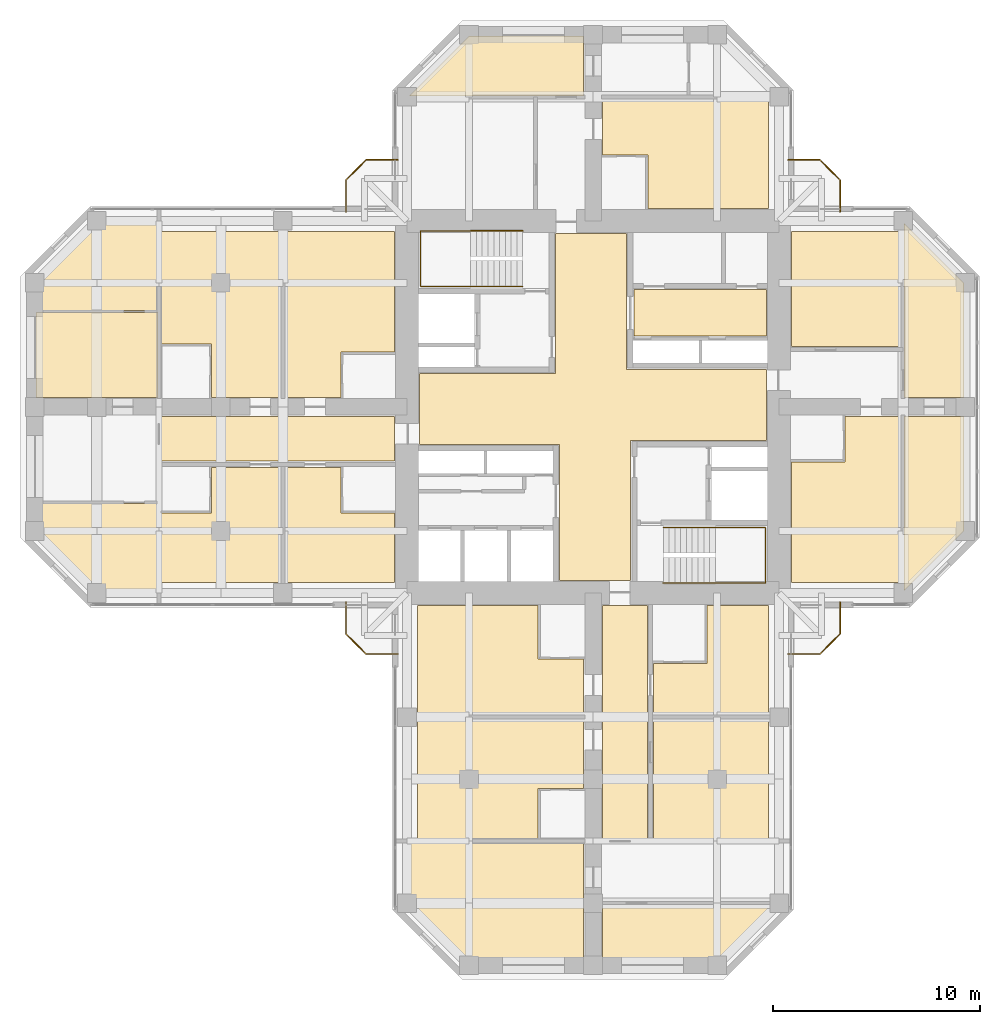
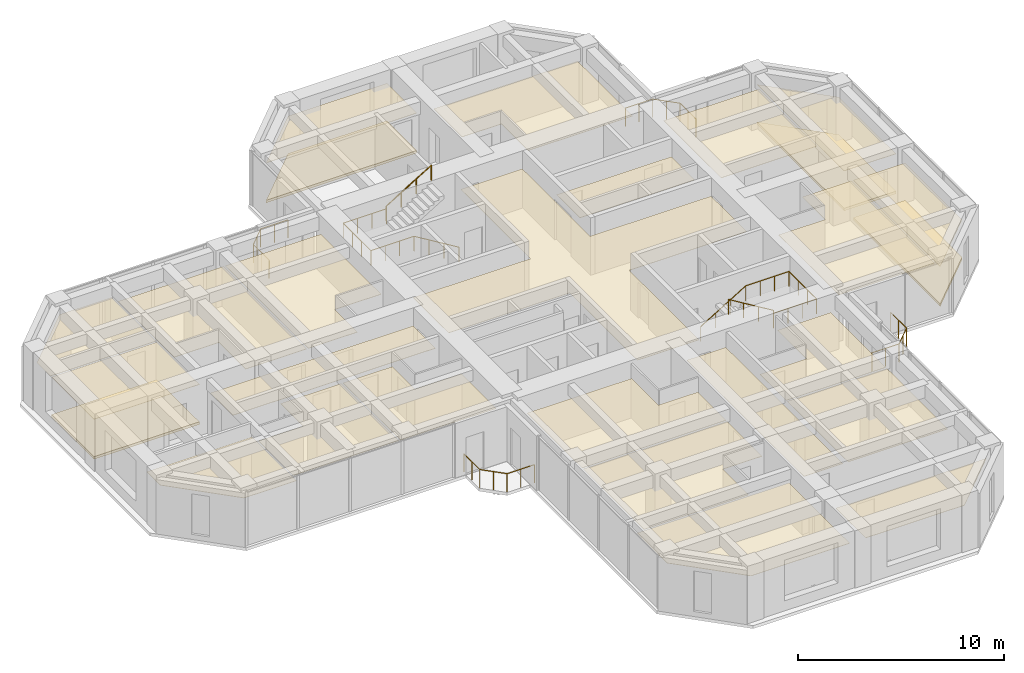
# One storey, part 13 of 13: 27 coverings, 8 railings.
"""IFC4 building model written with IfcOpenShell, lengths in metres."""

from ifc_helpers import new_model, si_unit, direction, frame, origin, origin_2d, place, context, subcontext, project, spatial, polyline, circle, outline, extrude, material, layer, layer_set, constituent, constituent_set, type_object, element, save


model = new_model("IFC4")

# Units and contexts
model_context = context("Model", 3, precision=1e-05, world=origin(), true_north=direction((0.0, 1.0)))
body_context = subcontext(model_context, "Body", "Model", "MODEL_VIEW")
ifc_project = project(units=[si_unit("LENGTHUNIT", "METRE"), si_unit("AREAUNIT", "SQUARE_METRE"), si_unit("VOLUMEUNIT", "CUBIC_METRE"), si_unit("PLANEANGLEUNIT", "RADIAN"), si_unit("MASSUNIT", "GRAM", prefix="KILO")], contexts=[model_context])

# Site, building, storey
site_placement = place(None, origin())
site = spatial("IfcSite", under=ifc_project, at=site_placement, CompositionType="ELEMENT")
building_placement = place(site_placement, origin())
building = spatial("IfcBuilding", under=site, at=building_placement, Name="Torre Cruceta", CompositionType="ELEMENT")
storey_placement = place(building_placement, frame((0.0, 0.0, 189.89990234375)))
storey = spatial("IfcBuildingStorey", under=building, at=storey_placement, Name="L47", CompositionType="ELEMENT", Elevation=189.89990234375)

# Railings
ifc_material_1 = material(Name="Stainless steel 1.4401", Category="steel")
ifc_constituent_1 = constituent(ifc_material_1, Name="Frame")
ifc_material_2 = material(Name="Laminated safety glass", Category="glass")
ifc_constituent_2 = constituent(ifc_material_2, Name="Infill")
ifc_constituent_set_1 = constituent_set(constituents=[ifc_constituent_1, ifc_constituent_2], Name="Stainless steel and laminated glass balustrade")
railing_type_1 = type_object("IfcRailingType", Name="BALCONY BALUSTRADE 1100", PredefinedType="BALUSTRADE", material=ifc_constituent_set_1)
railing_1_placement = place(storey_placement, frame((-9.449951171875, 11.949951171875, 0.0)))
element("IfcRailing", 1, at=railing_1_placement, inside=storey, type_object=railing_type_1, Name="BL1 balcony balustrade L47 N", PredefinedType="BALUSTRADE", context=body_context, shape_type="SweptSolid", body=[
    extrude(circle(Radius=0.02392578125, at=origin_2d()), frame((0.0, 0.0, 1.076171875), z_axis=(-1.0, 0.0, 0.0), x_axis=(0.0, -1.0, 0.0)), (0.0, 0.0, 1.0), 1.529296875),
    extrude(circle(Radius=0.02392578125, at=origin_2d()), frame((-1.529296875, 0.0, 1.076171875), z_axis=(-0.707106781187, -0.707106781187, 0.0), x_axis=(0.707106781187, -0.707106781187, 0.0)), (0.0, 0.0, 1.0), 1.372802734375),
    extrude(circle(Radius=0.02392578125, at=origin_2d()), frame((-2.5, -0.970703125, 1.076171875), z_axis=(0.0, -1.0, 0.0), x_axis=(1.0, 0.0, 0.0)), (0.0, 0.0, 1.0), 1.529296875),
    extrude(circle(Radius=0.02099609375, at=origin_2d()), origin(), (0.0, 0.0, 1.0), 1.052001953125),
    extrude(circle(Radius=0.02099609375, at=origin_2d()), frame((-0.7646484375, 0.0, 0.0)), (0.0, 0.0, 1.0), 1.052001953125),
    extrude(circle(Radius=0.02099609375, at=origin_2d()), frame((-1.529296875, 0.0, 0.0)), (0.0, 0.0, 1.0), 1.052001953125),
    extrude(circle(Radius=0.02099609375, at=origin_2d()), frame((-2.0146484375, -0.4853515625, 0.0)), (0.0, 0.0, 1.0), 1.052001953125),
    extrude(circle(Radius=0.02099609375, at=origin_2d()), frame((-2.5, -0.970703125, 0.0)), (0.0, 0.0, 1.0), 1.052001953125),
    extrude(circle(Radius=0.02099609375, at=origin_2d()), frame((-2.5, -1.7353515625, 0.0)), (0.0, 0.0, 1.0), 1.052001953125),
    extrude(circle(Radius=0.02099609375, at=origin_2d()), frame((-2.5, -2.5, 0.0)), (0.0, 0.0, 1.0), 1.052001953125),
])
railing_2_placement = place(storey_placement, frame((9.449951171875, 11.949951171875, 0.0)))
element("IfcRailing", 2, at=railing_2_placement, inside=storey, type_object=railing_type_1, Name="BL1 balcony balustrade L47 E", PredefinedType="BALUSTRADE", context=body_context, shape_type="SweptSolid", body=[
    extrude(circle(Radius=0.02392578125, at=origin_2d()), frame((0.0, 0.0, 1.076171875), z_axis=(1.0, 0.0, 0.0), x_axis=(0.0, 1.0, 0.0)), (0.0, 0.0, 1.0), 1.529296875),
    extrude(circle(Radius=0.02392578125, at=origin_2d()), frame((1.529296875, 0.0, 1.076171875), z_axis=(0.707106781187, -0.707106781187, 0.0), x_axis=(0.707106781187, 0.707106781187, 0.0)), (0.0, 0.0, 1.0), 1.372802734375),
    extrude(circle(Radius=0.02392578125, at=origin_2d()), frame((2.5, -0.970703125, 1.076171875), z_axis=(0.0, -1.0, 0.0), x_axis=(1.0, 0.0, 0.0)), (0.0, 0.0, 1.0), 1.529296875),
    extrude(circle(Radius=0.02099609375, at=origin_2d()), origin(), (0.0, 0.0, 1.0), 1.052001953125),
    extrude(circle(Radius=0.02099609375, at=origin_2d()), frame((0.7646484375, 0.0, 0.0)), (0.0, 0.0, 1.0), 1.052001953125),
    extrude(circle(Radius=0.02099609375, at=origin_2d()), frame((1.529296875, 0.0, 0.0)), (0.0, 0.0, 1.0), 1.052001953125),
    extrude(circle(Radius=0.02099609375, at=origin_2d()), frame((2.0146484375, -0.4853515625, 0.0)), (0.0, 0.0, 1.0), 1.052001953125),
    extrude(circle(Radius=0.02099609375, at=origin_2d()), frame((2.5, -0.970703125, 0.0)), (0.0, 0.0, 1.0), 1.052001953125),
    extrude(circle(Radius=0.02099609375, at=origin_2d()), frame((2.5, -1.7353515625, 0.0)), (0.0, 0.0, 1.0), 1.052001953125),
    extrude(circle(Radius=0.02099609375, at=origin_2d()), frame((2.5, -2.5, 0.0)), (0.0, 0.0, 1.0), 1.052001953125),
])
railing_3_placement = place(storey_placement, frame((9.449951171875, -11.949951171875, 0.0)))
element("IfcRailing", 3, at=railing_3_placement, inside=storey, type_object=railing_type_1, Name="BL1 balcony balustrade L47 S", PredefinedType="BALUSTRADE", context=body_context, shape_type="SweptSolid", body=[
    extrude(circle(Radius=0.02392578125, at=origin_2d()), frame((0.0, 0.0, 1.076171875), z_axis=(1.0, 0.0, 0.0), x_axis=(0.0, 1.0, 0.0)), (0.0, 0.0, 1.0), 1.529296875),
    extrude(circle(Radius=0.02392578125, at=origin_2d()), frame((1.529296875, 0.0, 1.076171875), z_axis=(0.707106781187, 0.707106781187, 0.0), x_axis=(-0.707106781187, 0.707106781187, 0.0)), (0.0, 0.0, 1.0), 1.372802734375),
    extrude(circle(Radius=0.02392578125, at=origin_2d()), frame((2.5, 0.970703125, 1.076171875), z_axis=(0.0, 1.0, 0.0), x_axis=(-1.0, 0.0, 0.0)), (0.0, 0.0, 1.0), 1.529296875),
    extrude(circle(Radius=0.02099609375, at=origin_2d()), origin(), (0.0, 0.0, 1.0), 1.052001953125),
    extrude(circle(Radius=0.02099609375, at=origin_2d()), frame((0.7646484375, 0.0, 0.0)), (0.0, 0.0, 1.0), 1.052001953125),
    extrude(circle(Radius=0.02099609375, at=origin_2d()), frame((1.529296875, 0.0, 0.0)), (0.0, 0.0, 1.0), 1.052001953125),
    extrude(circle(Radius=0.02099609375, at=origin_2d()), frame((2.0146484375, 0.4853515625, 0.0)), (0.0, 0.0, 1.0), 1.052001953125),
    extrude(circle(Radius=0.02099609375, at=origin_2d()), frame((2.5, 0.970703125, 0.0)), (0.0, 0.0, 1.0), 1.052001953125),
    extrude(circle(Radius=0.02099609375, at=origin_2d()), frame((2.5, 1.7353515625, 0.0)), (0.0, 0.0, 1.0), 1.052001953125),
    extrude(circle(Radius=0.02099609375, at=origin_2d()), frame((2.5, 2.5, 0.0)), (0.0, 0.0, 1.0), 1.052001953125),
])
railing_4_placement = place(storey_placement, frame((-9.449951171875, -11.949951171875, 0.0)))
element("IfcRailing", 4, at=railing_4_placement, inside=storey, type_object=railing_type_1, Name="BL1 balcony balustrade L47 W", PredefinedType="BALUSTRADE", context=body_context, shape_type="SweptSolid", body=[
    extrude(circle(Radius=0.02392578125, at=origin_2d()), frame((0.0, 0.0, 1.076171875), z_axis=(-1.0, 0.0, 0.0), x_axis=(0.0, -1.0, 0.0)), (0.0, 0.0, 1.0), 1.529296875),
    extrude(circle(Radius=0.02392578125, at=origin_2d()), frame((-1.529296875, 0.0, 1.076171875), z_axis=(-0.707106781187, 0.707106781187, 0.0), x_axis=(-0.707106781187, -0.707106781187, 0.0)), (0.0, 0.0, 1.0), 1.372802734375),
    extrude(circle(Radius=0.02392578125, at=origin_2d()), frame((-2.5, 0.970703125, 1.076171875), z_axis=(0.0, 1.0, 0.0), x_axis=(-1.0, 0.0, 0.0)), (0.0, 0.0, 1.0), 1.529296875),
    extrude(circle(Radius=0.02099609375, at=origin_2d()), origin(), (0.0, 0.0, 1.0), 1.052001953125),
    extrude(circle(Radius=0.02099609375, at=origin_2d()), frame((-0.7646484375, 0.0, 0.0)), (0.0, 0.0, 1.0), 1.052001953125),
    extrude(circle(Radius=0.02099609375, at=origin_2d()), frame((-1.529296875, 0.0, 0.0)), (0.0, 0.0, 1.0), 1.052001953125),
    extrude(circle(Radius=0.02099609375, at=origin_2d()), frame((-2.0146484375, 0.4853515625, 0.0)), (0.0, 0.0, 1.0), 1.052001953125),
    extrude(circle(Radius=0.02099609375, at=origin_2d()), frame((-2.5, 0.970703125, 0.0)), (0.0, 0.0, 1.0), 1.052001953125),
    extrude(circle(Radius=0.02099609375, at=origin_2d()), frame((-2.5, 1.7353515625, 0.0)), (0.0, 0.0, 1.0), 1.052001953125),
    extrude(circle(Radius=0.02099609375, at=origin_2d()), frame((-2.5, 2.5, 0.0)), (0.0, 0.0, 1.0), 1.052001953125),
])
ifc_material_3 = material(Name="Stainless steel 1.4401", Category="steel")
railing_type_2 = type_object("IfcRailingType", Name="HANDRAIL 900", PredefinedType="HANDRAIL", material=ifc_material_3)
railing_5_placement = place(storey_placement, frame((-3.39990234375, 5.8349609375, 0.170166015625)))
element("IfcRailing", 5, at=railing_5_placement, inside=storey, type_object=railing_type_2, Name="Handrail HR1 ST1 L47", PredefinedType="HANDRAIL", context=body_context, shape_type="SweptSolid", body=[
    extrude(circle(Radius=0.02392578125, at=origin_2d()), frame((0.0, 0.0, 0.8759765625), z_axis=(-0.85478489116, 0.0, 0.518982456201), x_axis=(0.0, -1.0, 0.0)), (0.0, 0.0, 1.0), 2.9482421875),
    extrude(circle(Radius=0.02392578125, at=origin_2d()), frame((-2.52001953125, 0.0, 2.40576171875), z_axis=(-1.0, 0.0, 0.0), x_axis=(0.0, -1.0, 0.0)), (0.0, 0.0, 1.0), 2.420166015625),
    extrude(circle(Radius=0.02392578125, at=origin_2d()), frame((-4.940185546875, 0.0, 2.40576171875), z_axis=(0.0, 1.0, 0.0), x_axis=(-1.0, 0.0, 0.0)), (0.0, 0.0, 1.0), 2.679931640625),
    extrude(circle(Radius=0.02392578125, at=origin_2d()), frame((-4.940185546875, 2.679931640625, 2.40576171875), z_axis=(1.0, 0.0, 0.0), x_axis=(0.0, 1.0, 0.0)), (0.0, 0.0, 1.0), 2.420166015625),
    extrude(circle(Radius=0.02099609375, at=origin_2d()), origin(), (0.0, 0.0, 1.0), 0.851806640625),
    extrude(circle(Radius=0.02099609375, at=origin_2d()), frame((-0.840087890625, 0.0, 0.510009765625)), (0.0, 0.0, 1.0), 0.851806640625),
    extrude(circle(Radius=0.02099609375, at=origin_2d()), frame((-1.679931640625, 0.0, 1.02001953125)), (0.0, 0.0, 1.0), 0.851806640625),
    extrude(circle(Radius=0.02099609375, at=origin_2d()), frame((-2.52001953125, 0.0, 1.530029296875)), (0.0, 0.0, 1.0), 0.851806640625),
    extrude(circle(Radius=0.02099609375, at=origin_2d()), frame((-3.32666015625, 0.0, 1.530029296875)), (0.0, 0.0, 1.0), 0.851806640625),
    extrude(circle(Radius=0.02099609375, at=origin_2d()), frame((-4.133544921875, 0.0, 1.530029296875)), (0.0, 0.0, 1.0), 0.851806640625),
    extrude(circle(Radius=0.02099609375, at=origin_2d()), frame((-4.940185546875, 0.0, 1.530029296875)), (0.0, 0.0, 1.0), 0.851806640625),
    extrude(circle(Radius=0.02099609375, at=origin_2d()), frame((-4.940185546875, 0.893310546875, 1.530029296875)), (0.0, 0.0, 1.0), 0.851806640625),
    extrude(circle(Radius=0.02099609375, at=origin_2d()), frame((-4.940185546875, 1.78662109375, 1.530029296875)), (0.0, 0.0, 1.0), 0.851806640625),
    extrude(circle(Radius=0.02099609375, at=origin_2d()), frame((-4.940185546875, 2.679931640625, 1.530029296875)), (0.0, 0.0, 1.0), 0.851806640625),
    extrude(circle(Radius=0.02099609375, at=origin_2d()), frame((-4.133544921875, 2.679931640625, 1.530029296875)), (0.0, 0.0, 1.0), 0.851806640625),
    extrude(circle(Radius=0.02099609375, at=origin_2d()), frame((-3.32666015625, 2.679931640625, 1.530029296875)), (0.0, 0.0, 1.0), 0.851806640625),
    extrude(circle(Radius=0.02099609375, at=origin_2d()), frame((-2.52001953125, 2.679931640625, 1.530029296875)), (0.0, 0.0, 1.0), 0.851806640625),
])
railing_6_placement = place(storey_placement, frame((-5.919921875, 8.514892578125, 1.8701171875)))
element("IfcRailing", 6, at=railing_6_placement, inside=storey, type_object=railing_type_2, Name="Handrail HR1 ST1 L47", PredefinedType="HANDRAIL", context=body_context, shape_type="SweptSolid", body=[
    extrude(circle(Radius=0.02392578125, at=origin_2d()), frame((0.0, 0.0, 0.8759765625), z_axis=(0.85478489116, 0.0, 0.518982456201), x_axis=(0.0, 1.0, 0.0)), (0.0, 0.0, 1.0), 2.9482421875),
    extrude(circle(Radius=0.02099609375, at=origin_2d()), origin(), (0.0, 0.0, 1.0), 0.851806640625),
    extrude(circle(Radius=0.02099609375, at=origin_2d()), frame((0.840087890625, 0.0, 0.510009765625)), (0.0, 0.0, 1.0), 0.851806640625),
    extrude(circle(Radius=0.02099609375, at=origin_2d()), frame((1.679931640625, 0.0, 1.02001953125)), (0.0, 0.0, 1.0), 0.851806640625),
    extrude(circle(Radius=0.02099609375, at=origin_2d()), frame((2.52001953125, 0.0, 1.530029296875)), (0.0, 0.0, 1.0), 0.851806640625),
])
railing_7_placement = place(storey_placement, frame((3.39990234375, -5.8349609375, 0.170166015625)))
element("IfcRailing", 7, at=railing_7_placement, inside=storey, type_object=railing_type_2, Name="Handrail HR1 ST2 L47", PredefinedType="HANDRAIL", context=body_context, shape_type="SweptSolid", body=[
    extrude(circle(Radius=0.02392578125, at=origin_2d()), frame((0.0, 0.0, 0.8759765625), z_axis=(0.85478489116, 0.0, 0.518982456201), x_axis=(0.0, 1.0, 0.0)), (0.0, 0.0, 1.0), 2.9482421875),
    extrude(circle(Radius=0.02392578125, at=origin_2d()), frame((2.52001953125, 0.0, 2.40576171875), z_axis=(1.0, 0.0, 0.0), x_axis=(0.0, 1.0, 0.0)), (0.0, 0.0, 1.0), 2.420166015625),
    extrude(circle(Radius=0.02392578125, at=origin_2d()), frame((4.940185546875, 0.0, 2.40576171875), z_axis=(0.0, -1.0, 0.0), x_axis=(1.0, 0.0, 0.0)), (0.0, 0.0, 1.0), 2.679931640625),
    extrude(circle(Radius=0.02392578125, at=origin_2d()), frame((4.940185546875, -2.679931640625, 2.40576171875), z_axis=(-1.0, 0.0, 0.0), x_axis=(0.0, -1.0, 0.0)), (0.0, 0.0, 1.0), 2.420166015625),
    extrude(circle(Radius=0.02099609375, at=origin_2d()), origin(), (0.0, 0.0, 1.0), 0.851806640625),
    extrude(circle(Radius=0.02099609375, at=origin_2d()), frame((0.840087890625, 0.0, 0.510009765625)), (0.0, 0.0, 1.0), 0.851806640625),
    extrude(circle(Radius=0.02099609375, at=origin_2d()), frame((1.679931640625, 0.0, 1.02001953125)), (0.0, 0.0, 1.0), 0.851806640625),
    extrude(circle(Radius=0.02099609375, at=origin_2d()), frame((2.52001953125, 0.0, 1.530029296875)), (0.0, 0.0, 1.0), 0.851806640625),
    extrude(circle(Radius=0.02099609375, at=origin_2d()), frame((3.32666015625, 0.0, 1.530029296875)), (0.0, 0.0, 1.0), 0.851806640625),
    extrude(circle(Radius=0.02099609375, at=origin_2d()), frame((4.133544921875, 0.0, 1.530029296875)), (0.0, 0.0, 1.0), 0.851806640625),
    extrude(circle(Radius=0.02099609375, at=origin_2d()), frame((4.940185546875, 0.0, 1.530029296875)), (0.0, 0.0, 1.0), 0.851806640625),
    extrude(circle(Radius=0.02099609375, at=origin_2d()), frame((4.940185546875, -0.893310546875, 1.530029296875)), (0.0, 0.0, 1.0), 0.851806640625),
    extrude(circle(Radius=0.02099609375, at=origin_2d()), frame((4.940185546875, -1.78662109375, 1.530029296875)), (0.0, 0.0, 1.0), 0.851806640625),
    extrude(circle(Radius=0.02099609375, at=origin_2d()), frame((4.940185546875, -2.679931640625, 1.530029296875)), (0.0, 0.0, 1.0), 0.851806640625),
    extrude(circle(Radius=0.02099609375, at=origin_2d()), frame((4.133544921875, -2.679931640625, 1.530029296875)), (0.0, 0.0, 1.0), 0.851806640625),
    extrude(circle(Radius=0.02099609375, at=origin_2d()), frame((3.32666015625, -2.679931640625, 1.530029296875)), (0.0, 0.0, 1.0), 0.851806640625),
    extrude(circle(Radius=0.02099609375, at=origin_2d()), frame((2.52001953125, -2.679931640625, 1.530029296875)), (0.0, 0.0, 1.0), 0.851806640625),
])
railing_8_placement = place(storey_placement, frame((5.919921875, -8.514892578125, 1.8701171875)))
element("IfcRailing", 8, at=railing_8_placement, inside=storey, type_object=railing_type_2, Name="Handrail HR1 ST2 L47", PredefinedType="HANDRAIL", context=body_context, shape_type="SweptSolid", body=[
    extrude(circle(Radius=0.02392578125, at=origin_2d()), frame((0.0, 0.0, 0.8759765625), z_axis=(-0.85478489116, 0.0, 0.518982456201), x_axis=(0.0, -1.0, 0.0)), (0.0, 0.0, 1.0), 2.9482421875),
    extrude(circle(Radius=0.02099609375, at=origin_2d()), origin(), (0.0, 0.0, 1.0), 0.851806640625),
    extrude(circle(Radius=0.02099609375, at=origin_2d()), frame((-0.840087890625, 0.0, 0.510009765625)), (0.0, 0.0, 1.0), 0.851806640625),
    extrude(circle(Radius=0.02099609375, at=origin_2d()), frame((-1.679931640625, 0.0, 1.02001953125)), (0.0, 0.0, 1.0), 0.851806640625),
    extrude(circle(Radius=0.02099609375, at=origin_2d()), frame((-2.52001953125, 0.0, 1.530029296875)), (0.0, 0.0, 1.0), 0.851806640625),
])

# Coverings
ifc_material_4 = material(Name="Steel DX51D", Category="steel")
ifc_constituent_3 = constituent(ifc_material_4, Name="Panel casing")
ifc_material_5 = material(Name="Calcium sulphate", Category="gypsum")
ifc_constituent_4 = constituent(ifc_material_5, Name="Panel core")
ifc_constituent_set_2 = constituent_set(constituents=[ifc_constituent_3, ifc_constituent_4], Name="Raised access floor panel")
covering_type_1 = type_object("IfcCoveringType", Name="RAISED ACCESS FLOOR 150", PredefinedType="FLOORING", material=ifc_constituent_set_2)
covering_1_placement = place(storey_placement, origin())
element("IfcCovering", 9, at=covering_1_placement, inside=storey, type_object=covering_type_1, Name="Raised floor L47-026", PredefinedType="FLOORING", context=body_context, shape_type="SweptSolid", body=[
    extrude(outline(polyline([(-5.979248046875, 17.949951171875), (-0.449951171875, 17.949951171875), (-0.449951171875, 15.050048828125), (-8.87939453125, 15.050048828125), (-5.979248046875, 17.949951171875)])), origin(), (0.0, 0.0, 1.0), 0.150146484375),
])
covering_2_placement = place(storey_placement, origin())
element("IfcCovering", 10, at=covering_2_placement, inside=storey, type_object=covering_type_1, Name="Raised floor L47-033", PredefinedType="FLOORING", context=body_context, shape_type="SweptSolid", body=[
    extrude(outline(polyline([(17.949951171875, 5.979248046875), (17.949951171875, 0.449951171875), (15.050048828125, 0.449951171875), (15.050048828125, 8.87939453125), (17.949951171875, 5.979248046875)])), origin(), (0.0, 0.0, 1.0), 0.150146484375),
])
covering_3_placement = place(storey_placement, origin())
element("IfcCovering", 11, at=covering_3_placement, inside=storey, type_object=covering_type_1, Name="Raised floor L47-034", PredefinedType="FLOORING", context=body_context, shape_type="SweptSolid", body=[
    extrude(outline(polyline([(15.050048828125, -8.87939453125), (15.050048828125, -0.449951171875), (17.949951171875, -0.449951171875), (17.949951171875, -5.979248046875), (15.050048828125, -8.87939453125)])), origin(), (0.0, 0.0, 1.0), 0.150146484375),
])
covering_4_placement = place(storey_placement, origin())
element("IfcCovering", 12, at=covering_4_placement, inside=storey, type_object=covering_type_1, Name="Raised floor L47-057", PredefinedType="FLOORING", context=body_context, shape_type="SweptSolid", body=[
    extrude(outline(polyline([(-26.949951171875, 4.574951171875), (-21.050048828125, 4.574951171875), (-21.050048828125, 0.449951171875), (-26.949951171875, 0.449951171875), (-26.949951171875, 4.574951171875)])), origin(), (0.0, 0.0, 1.0), 0.150146484375),
])
ifc_material_6 = material(Name="Mineral fibre ceiling tile", Category="gypsum")
ifc_layer = layer(ifc_material_6, 0.02001953125)
ifc_layer_set = layer_set([ifc_layer], Name="Mineral fibre ceiling tile")
covering_type_2 = type_object("IfcCoveringType", Name="SUSPENDED CEILING 20", PredefinedType="CEILING", material=ifc_layer_set)
covering_5_placement = place(storey_placement, frame((0.0, 0.0, 2.35009765625)))
element("IfcCovering", 13, at=covering_5_placement, inside=storey, type_object=covering_type_2, Name="Ceiling L47-003", PredefinedType="CEILING", context=body_context, shape_type="SweptSolid", body=[
    extrude(outline(polyline([(-1.625, -8.39990234375), (-1.625, -1.824951171875), (-8.39990234375, -1.824951171875), (-8.39990234375, 1.625), (-1.824951171875, 1.625), (-1.824951171875, 8.39990234375), (1.625, 8.39990234375), (1.625, 1.824951171875), (8.39990234375, 1.824951171875), (8.39990234375, -1.625), (1.824951171875, -1.625), (1.824951171875, -8.39990234375), (-1.625, -8.39990234375)])), origin(), (0.0, 0.0, 1.0), 0.02001953125),
])
covering_6_placement = place(storey_placement, frame((0.0, 0.0, 2.35009765625)))
element("IfcCovering", 14, at=covering_6_placement, inside=storey, type_object=covering_type_2, Name="Ceiling L47-004", PredefinedType="CEILING", context=body_context, shape_type="SweptSolid", body=[
    extrude(outline(polyline([(1.97509765625, 3.425048828125), (1.97509765625, 5.675048828125), (8.39990234375, 5.675048828125), (8.39990234375, 3.425048828125), (1.97509765625, 3.425048828125)])), origin(), (0.0, 0.0, 1.0), 0.02001953125),
])
covering_7_placement = place(storey_placement, frame((0.0, 0.0, 2.35009765625)))
element("IfcCovering", 15, at=covering_7_placement, inside=storey, type_object=covering_type_2, Name="Ceiling L47-024", PredefinedType="CEILING", context=body_context, shape_type="SweptSolid", body=[
    extrude(outline(polyline([(0.449951171875, 14.949951171875), (8.5, 14.949951171875), (8.5, 9.60009765625), (2.64990234375, 9.60009765625), (2.64990234375, 12.199951171875), (0.449951171875, 12.199951171875), (0.449951171875, 14.949951171875)])), origin(), (0.0, 0.0, 1.0), 0.02001953125),
])
covering_8_placement = place(storey_placement, frame((0.0, 0.0, 2.35009765625)))
element("IfcCovering", 16, at=covering_8_placement, inside=storey, type_object=covering_type_2, Name="Ceiling L47-026", PredefinedType="CEILING", context=body_context, shape_type="SweptSolid", body=[
    extrude(outline(polyline([(-5.979248046875, 17.949951171875), (-0.449951171875, 17.949951171875), (-0.449951171875, 15.050048828125), (-8.87939453125, 15.050048828125), (-5.979248046875, 17.949951171875)])), origin(), (0.0, 0.0, 1.0), 0.02001953125),
])
covering_9_placement = place(storey_placement, frame((0.0, 0.0, 2.35009765625)))
element("IfcCovering", 17, at=covering_9_placement, inside=storey, type_object=covering_type_2, Name="Ceiling L47-030", PredefinedType="CEILING", context=body_context, shape_type="SweptSolid", body=[
    extrude(outline(polyline([(9.60009765625, 2.925048828125), (9.60009765625, 8.5), (14.949951171875, 8.5), (14.949951171875, 2.925048828125), (9.60009765625, 2.925048828125)])), origin(), (0.0, 0.0, 1.0), 0.02001953125),
])
covering_10_placement = place(storey_placement, frame((0.0, 0.0, 2.35009765625)))
element("IfcCovering", 18, at=covering_10_placement, inside=storey, type_object=covering_type_2, Name="Ceiling L47-031", PredefinedType="CEILING", context=body_context, shape_type="SweptSolid", body=[
    extrude(outline(polyline([(14.949951171875, -0.449951171875), (14.949951171875, -8.5), (9.60009765625, -8.5), (9.60009765625, -2.64990234375), (12.199951171875, -2.64990234375), (12.199951171875, -0.449951171875), (14.949951171875, -0.449951171875)])), origin(), (0.0, 0.0, 1.0), 0.02001953125),
])
covering_11_placement = place(storey_placement, frame((0.0, 0.0, 2.35009765625)))
element("IfcCovering", 19, at=covering_11_placement, inside=storey, type_object=covering_type_2, Name="Ceiling L47-033", PredefinedType="CEILING", context=body_context, shape_type="SweptSolid", body=[
    extrude(outline(polyline([(17.949951171875, 5.979248046875), (17.949951171875, 0.449951171875), (15.050048828125, 0.449951171875), (15.050048828125, 8.87939453125), (17.949951171875, 5.979248046875)])), origin(), (0.0, 0.0, 1.0), 0.02001953125),
])
covering_12_placement = place(storey_placement, frame((0.0, 0.0, 2.35009765625)))
element("IfcCovering", 20, at=covering_12_placement, inside=storey, type_object=covering_type_2, Name="Ceiling L47-034", PredefinedType="CEILING", context=body_context, shape_type="SweptSolid", body=[
    extrude(outline(polyline([(15.050048828125, -8.87939453125), (15.050048828125, -0.449951171875), (17.949951171875, -0.449951171875), (17.949951171875, -5.979248046875), (15.050048828125, -8.87939453125)])), origin(), (0.0, 0.0, 1.0), 0.02001953125),
])
covering_13_placement = place(storey_placement, frame((0.0, 0.0, 2.35009765625)))
element("IfcCovering", 21, at=covering_13_placement, inside=storey, type_object=covering_type_2, Name="Ceiling L47-035", PredefinedType="CEILING", context=body_context, shape_type="SweptSolid", body=[
    extrude(outline(polyline([(0.449951171875, -9.60009765625), (2.625, -9.60009765625), (2.625, -20.949951171875), (0.449951171875, -20.949951171875), (0.449951171875, -9.60009765625)])), origin(), (0.0, 0.0, 1.0), 0.02001953125),
])
covering_14_placement = place(storey_placement, frame((0.0, 0.0, 2.35009765625)))
element("IfcCovering", 22, at=covering_14_placement, inside=storey, type_object=covering_type_2, Name="Ceiling L47-036", PredefinedType="CEILING", context=body_context, shape_type="SweptSolid", body=[
    extrude(outline(polyline([(8.5, -9.60009765625), (8.5, -14.949951171875), (2.925048828125, -14.949951171875), (2.925048828125, -12.39990234375), (5.52490234375, -12.39990234375), (5.52490234375, -9.60009765625), (8.5, -9.60009765625)])), origin(), (0.0, 0.0, 1.0), 0.02001953125),
])
covering_15_placement = place(storey_placement, frame((0.0, 0.0, 2.35009765625)))
element("IfcCovering", 23, at=covering_15_placement, inside=storey, type_object=covering_type_2, Name="Ceiling L47-038", PredefinedType="CEILING", context=body_context, shape_type="SweptSolid", body=[
    extrude(outline(polyline([(-0.449951171875, -14.949951171875), (-8.5, -14.949951171875), (-8.5, -9.60009765625), (-2.64990234375, -9.60009765625), (-2.64990234375, -12.199951171875), (-0.449951171875, -12.199951171875), (-0.449951171875, -14.949951171875)])), origin(), (0.0, 0.0, 1.0), 0.02001953125),
])
covering_16_placement = place(storey_placement, frame((0.0, 0.0, 2.35009765625)))
element("IfcCovering", 24, at=covering_16_placement, inside=storey, type_object=covering_type_2, Name="Ceiling L47-040", PredefinedType="CEILING", context=body_context, shape_type="SweptSolid", body=[
    extrude(outline(polyline([(2.925048828125, -15.050048828125), (8.5, -15.050048828125), (8.5, -20.949951171875), (2.925048828125, -20.949951171875), (2.925048828125, -15.050048828125)])), origin(), (0.0, 0.0, 1.0), 0.02001953125),
])
covering_17_placement = place(storey_placement, frame((0.0, 0.0, 2.35009765625)))
element("IfcCovering", 25, at=covering_17_placement, inside=storey, type_object=covering_type_2, Name="Ceiling L47-041", PredefinedType="CEILING", context=body_context, shape_type="SweptSolid", body=[
    extrude(outline(polyline([(-8.5, -20.949951171875), (-8.5, -15.050048828125), (-0.449951171875, -15.050048828125), (-0.449951171875, -18.449951171875), (-2.64990234375, -18.449951171875), (-2.64990234375, -20.949951171875), (-8.5, -20.949951171875)])), origin(), (0.0, 0.0, 1.0), 0.02001953125),
])
covering_18_placement = place(storey_placement, frame((0.0, 0.0, 2.35009765625)))
element("IfcCovering", 26, at=covering_18_placement, inside=storey, type_object=covering_type_2, Name="Ceiling L47-044", PredefinedType="CEILING", context=body_context, shape_type="SweptSolid", body=[
    extrude(outline(polyline([(0.449951171875, -26.949951171875), (0.449951171875, -24.050048828125), (8.87939453125, -24.050048828125), (5.979248046875, -26.949951171875), (0.449951171875, -26.949951171875)])), origin(), (0.0, 0.0, 1.0), 0.02001953125),
])
covering_19_placement = place(storey_placement, frame((0.0, 0.0, 2.35009765625)))
element("IfcCovering", 27, at=covering_19_placement, inside=storey, type_object=covering_type_2, Name="Ceiling L47-045", PredefinedType="CEILING", context=body_context, shape_type="SweptSolid", body=[
    extrude(outline(polyline([(-8.949951171875, -23.979248046875), (-8.949951171875, -21.050048828125), (-0.449951171875, -21.050048828125), (-0.449951171875, -26.949951171875), (-5.979248046875, -26.949951171875), (-8.949951171875, -23.979248046875)])), origin(), (0.0, 0.0, 1.0), 0.02001953125),
])
covering_20_placement = place(storey_placement, frame((0.0, 0.0, 2.35009765625)))
element("IfcCovering", 28, at=covering_20_placement, inside=storey, type_object=covering_type_2, Name="Ceiling L47-046", PredefinedType="CEILING", context=body_context, shape_type="SweptSolid", body=[
    extrude(outline(polyline([(-9.60009765625, -0.449951171875), (-9.60009765625, -2.625), (-20.949951171875, -2.625), (-20.949951171875, -0.449951171875), (-9.60009765625, -0.449951171875)])), origin(), (0.0, 0.0, 1.0), 0.02001953125),
])
covering_21_placement = place(storey_placement, frame((0.0, 0.0, 2.35009765625)))
element("IfcCovering", 29, at=covering_21_placement, inside=storey, type_object=covering_type_2, Name="Ceiling L47-047", PredefinedType="CEILING", context=body_context, shape_type="SweptSolid", body=[
    extrude(outline(polyline([(-9.60009765625, -8.5), (-14.949951171875, -8.5), (-14.949951171875, -2.925048828125), (-12.199951171875, -2.925048828125), (-12.199951171875, -5.125), (-9.60009765625, -5.125), (-9.60009765625, -8.5)])), origin(), (0.0, 0.0, 1.0), 0.02001953125),
])
covering_22_placement = place(storey_placement, frame((0.0, 0.0, 2.35009765625)))
element("IfcCovering", 30, at=covering_22_placement, inside=storey, type_object=covering_type_2, Name="Ceiling L47-049", PredefinedType="CEILING", context=body_context, shape_type="SweptSolid", body=[
    extrude(outline(polyline([(-14.949951171875, 0.449951171875), (-14.949951171875, 8.5), (-9.60009765625, 8.5), (-9.60009765625, 2.64990234375), (-12.199951171875, 2.64990234375), (-12.199951171875, 0.449951171875), (-14.949951171875, 0.449951171875)])), origin(), (0.0, 0.0, 1.0), 0.02001953125),
])
covering_23_placement = place(storey_placement, frame((0.0, 0.0, 2.35009765625)))
element("IfcCovering", 31, at=covering_23_placement, inside=storey, type_object=covering_type_2, Name="Ceiling L47-051", PredefinedType="CEILING", context=body_context, shape_type="SweptSolid", body=[
    extrude(outline(polyline([(-15.050048828125, -2.925048828125), (-15.050048828125, -8.5), (-20.949951171875, -8.5), (-20.949951171875, -5.125), (-18.449951171875, -5.125), (-18.449951171875, -2.925048828125), (-15.050048828125, -2.925048828125)])), origin(), (0.0, 0.0, 1.0), 0.02001953125),
])
covering_24_placement = place(storey_placement, frame((0.0, 0.0, 2.35009765625)))
element("IfcCovering", 32, at=covering_24_placement, inside=storey, type_object=covering_type_2, Name="Ceiling L47-053", PredefinedType="CEILING", context=body_context, shape_type="SweptSolid", body=[
    extrude(outline(polyline([(-20.949951171875, 8.5), (-15.050048828125, 8.5), (-15.050048828125, 0.449951171875), (-18.449951171875, 0.449951171875), (-18.449951171875, 3.050048828125), (-20.949951171875, 3.050048828125), (-20.949951171875, 8.5)])), origin(), (0.0, 0.0, 1.0), 0.02001953125),
])
covering_25_placement = place(storey_placement, frame((0.0, 0.0, 2.35009765625)))
element("IfcCovering", 33, at=covering_25_placement, inside=storey, type_object=covering_type_2, Name="Ceiling L47-056", PredefinedType="CEILING", context=body_context, shape_type="SweptSolid", body=[
    extrude(outline(polyline([(-23.979248046875, -8.949951171875), (-26.949951171875, -5.979248046875), (-26.949951171875, -4.675048828125), (-21.050048828125, -4.675048828125), (-21.050048828125, -8.949951171875), (-23.979248046875, -8.949951171875)])), origin(), (0.0, 0.0, 1.0), 0.02001953125),
])
covering_26_placement = place(storey_placement, frame((0.0, 0.0, 2.35009765625)))
element("IfcCovering", 34, at=covering_26_placement, inside=storey, type_object=covering_type_2, Name="Ceiling L47-057", PredefinedType="CEILING", context=body_context, shape_type="SweptSolid", body=[
    extrude(outline(polyline([(-26.949951171875, 4.574951171875), (-21.050048828125, 4.574951171875), (-21.050048828125, 0.449951171875), (-26.949951171875, 0.449951171875), (-26.949951171875, 4.574951171875)])), origin(), (0.0, 0.0, 1.0), 0.02001953125),
])
covering_27_placement = place(storey_placement, frame((0.0, 0.0, 2.35009765625)))
element("IfcCovering", 35, at=covering_27_placement, inside=storey, type_object=covering_type_2, Name="Ceiling L47-058", PredefinedType="CEILING", context=body_context, shape_type="SweptSolid", body=[
    extrude(outline(polyline([(-23.979248046875, 8.949951171875), (-21.050048828125, 8.949951171875), (-21.050048828125, 4.675048828125), (-26.949951171875, 4.675048828125), (-26.949951171875, 5.979248046875), (-23.979248046875, 8.949951171875)])), origin(), (0.0, 0.0, 1.0), 0.02001953125),
])

save(model, "model.ifc")
